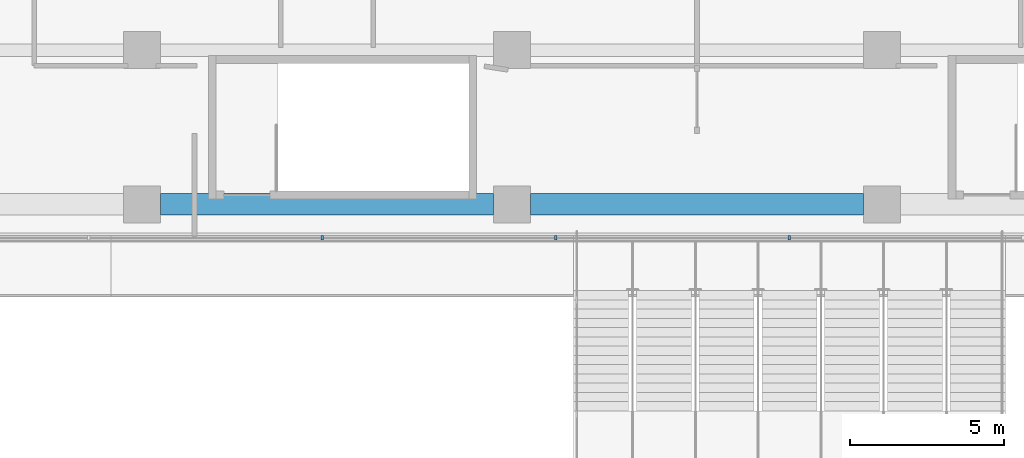
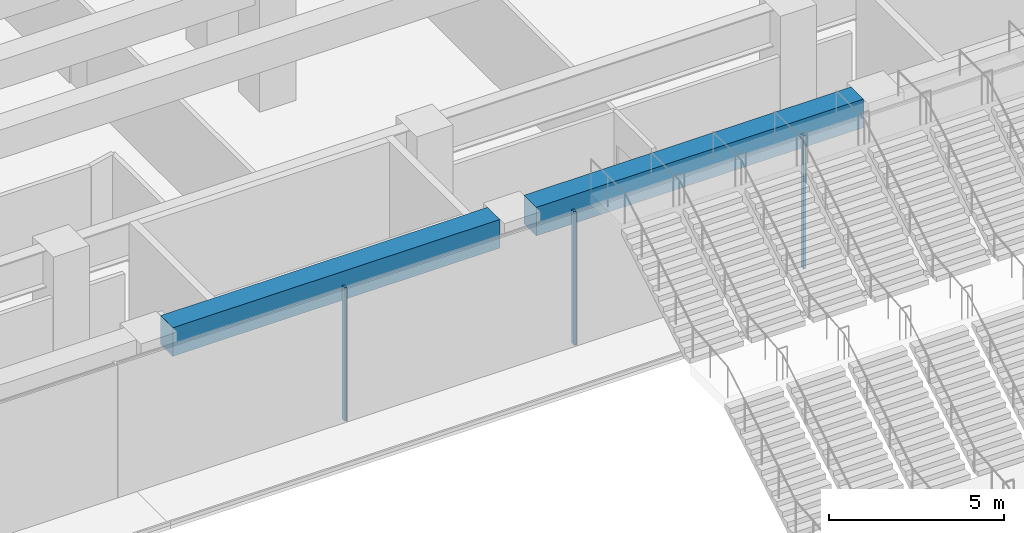
# One storey, part 3 of 40: 3 members, 2 beams, 1 element without a shape of its own.
"""IFC4 building model written with IfcOpenShell, lengths in metres."""

from ifc_helpers import new_model, si_unit, direction, frame, origin, origin_2d, place, context, subcontext, project, spatial, rectangle, extrude, material, layer, layer_set, material_profile, profile_set, type_object, element, aggregate, save


model = new_model("IFC4")

# Units and contexts
model_context = context("Model", 3, precision=1e-05, world=origin(), true_north=direction((0.0, 1.0)))
body_context = subcontext(model_context, "Body", "Model", "MODEL_VIEW")
ifc_project = project(units=[si_unit("LENGTHUNIT", "METRE"), si_unit("AREAUNIT", "SQUARE_METRE"), si_unit("VOLUMEUNIT", "CUBIC_METRE"), si_unit("PLANEANGLEUNIT", "RADIAN"), si_unit("MASSUNIT", "GRAM", prefix="KILO")], contexts=[model_context])

# Site, building, storey
site_placement = place(None, origin())
site = spatial("IfcSite", under=ifc_project, at=site_placement, CompositionType="ELEMENT")
building_placement = place(site_placement, origin())
building = spatial("IfcBuilding", under=site, at=building_placement, Name="Welwitschia Terrace Campus", CompositionType="ELEMENT")
storey_placement = place(building_placement, frame((0.0, 0.0, 6.0)))
storey = spatial("IfcBuildingStorey", under=building, at=storey_placement, Name="L01", CompositionType="ELEMENT", Elevation=6.0)

# Beams
ifc_material_1 = material(Name="Concrete C60/75", Category="concrete")
ifc_material_profile_1 = material_profile(ifc_material_1, rectangle(XDim=0.699951171875, YDim=1.0, at=origin_2d()))
ifc_profile_set_1 = profile_set([ifc_material_profile_1], Name="Concrete C60/75")
beam_type = type_object("IfcBeamType", Name="Base block beam 700x1000", PredefinedType="BEAM", material=ifc_profile_set_1)
for number, where, z_axis, x_axis, name in (
    (1, (24.6005859375, -9.0, 4.10009765625), (1.0, 0.0, 0.0), (0.0, 1.0, 0.0), "Beam BB1"),
    (2, (36.6005859375, -9.0, 4.10009765625), (1.0, 0.0, 0.0), (0.0, 1.0, 0.0), "Beam BB1"),
):
    element("IfcBeam", number, at=place(storey_placement, frame(where, z_axis=z_axis, x_axis=x_axis)), inside=storey, type_object=beam_type, Name=name, PredefinedType="BEAM", context=body_context, shape_type="SweptSolid", body=[
        extrude(rectangle(XDim=0.699951171875, YDim=1.0, at=origin_2d()), origin(), (0.0, 0.0, 1.0), 10.798828125),
    ])

# Curtain wall, members
ifc_material_2 = material(Name="Bronze anodised aluminium", Category="aluminium")
ifc_layer = layer(ifc_material_2, 0.14990234375)
ifc_layer_set = layer_set([ifc_layer], Name="Bronze anodised aluminium")
curtain_wall_type = type_object("IfcCurtainWallType", Name="Curtain wall CW1 podium 7500", PredefinedType="NOTDEFINED", material=ifc_layer_set)
curtain_wall_placement = place(storey_placement, origin())
curtain_wall = element("IfcCurtainWall", 3, at=curtain_wall_placement, inside=storey, type_object=curtain_wall_type, Name="CW L01.0.0", PredefinedType="NOTDEFINED")
ifc_material_3 = material(Name="Bronze anodised aluminium", Category="aluminium")
ifc_material_profile_2 = material_profile(ifc_material_3, rectangle(XDim=0.14990234375, YDim=0.080078125, at=origin_2d()))
ifc_profile_set_2 = profile_set([ifc_material_profile_2], Name="Bronze anodised aluminium")
member_type = type_object("IfcMemberType", Name="Mullion 80x150", PredefinedType="MULLION", material=ifc_profile_set_2)
member_1_placement = place(storey_placement, frame((29.85009765625, -10.0849609375, 0.0), z_axis=(0.0, 0.0, 1.0), x_axis=(0.0, 1.0, 0.0)))
member_1 = element("IfcMember", 4, at=member_1_placement, type_object=member_type, Name="Mullion L01.0.0.4", PredefinedType="MULLION", context=body_context, shape_type="SweptSolid", body=[
    extrude(rectangle(XDim=0.14990234375, YDim=0.080078125, at=origin_2d()), origin(), (0.0, 0.0, 1.0), 4.64990234375),
])
member_2_placement = place(storey_placement, frame((37.425048828125, -10.0849609375, 0.0), z_axis=(0.0, 0.0, 1.0), x_axis=(0.0, 1.0, 0.0)))
member_2 = element("IfcMember", 5, at=member_2_placement, type_object=member_type, Name="Mullion L01.0.0.5", PredefinedType="MULLION", context=body_context, shape_type="SweptSolid", body=[
    extrude(rectangle(XDim=0.14990234375, YDim=0.080078125, at=origin_2d()), origin(), (0.0, 0.0, 1.0), 4.64990234375),
])
member_3_placement = place(storey_placement, frame((45.0, -10.0849609375, 0.0), z_axis=(0.0, 0.0, 1.0), x_axis=(0.0, 1.0, 0.0)))
member_3 = element("IfcMember", 6, at=member_3_placement, type_object=member_type, Name="Mullion L01.0.0.6", PredefinedType="MULLION", context=body_context, shape_type="SweptSolid", body=[
    extrude(rectangle(XDim=0.14990234375, YDim=0.080078125, at=origin_2d()), origin(), (0.0, 0.0, 1.0), 4.64990234375),
])
aggregate(curtain_wall, [member_1, member_2, member_3])

save(model, "model.ifc")
